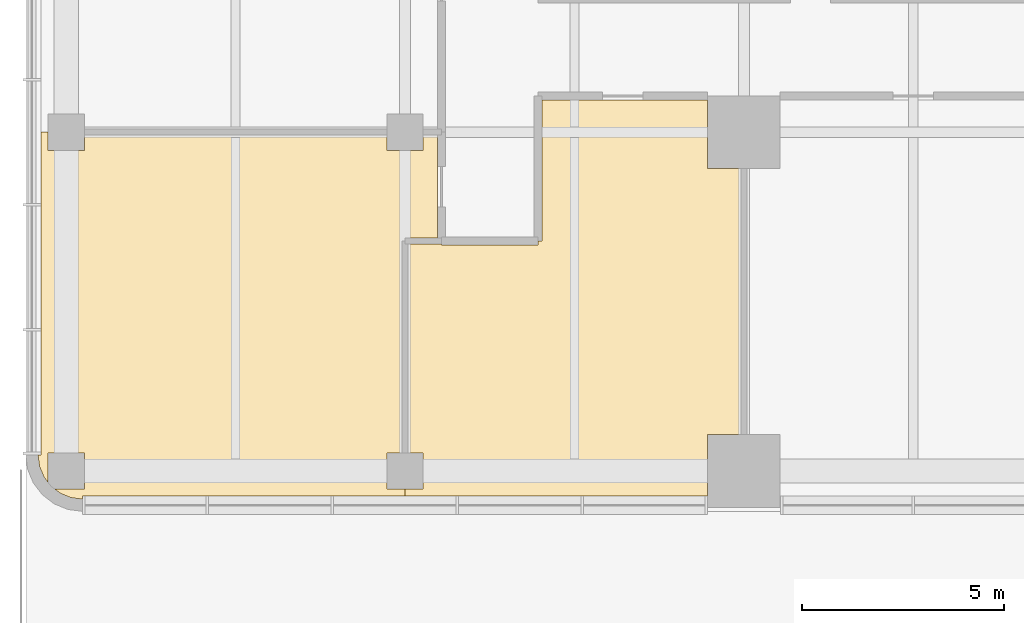
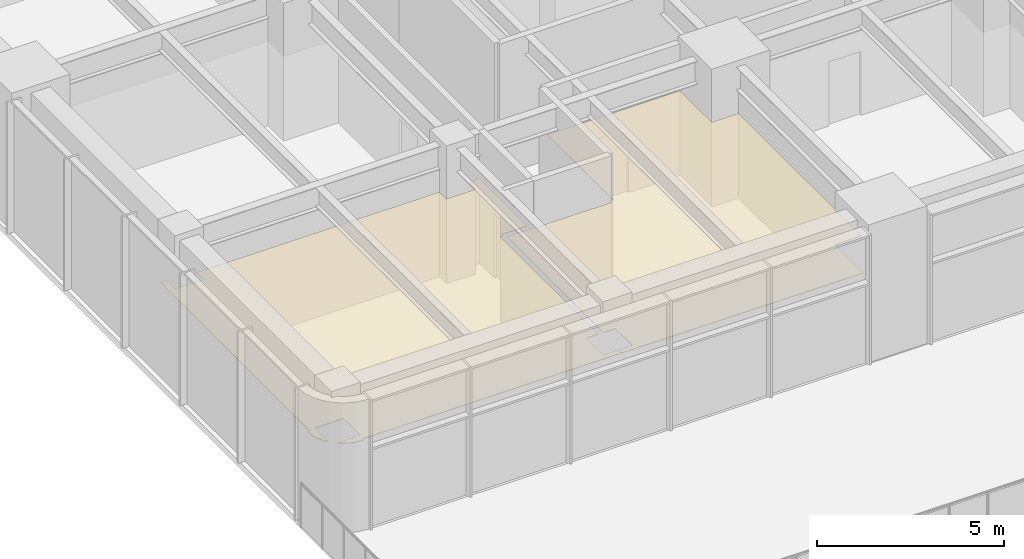
# One storey, part 15 of 19: 2 coverings.
"""IFC4 building model written with IfcOpenShell, lengths in metres."""

from ifc_helpers import new_model, si_unit, direction, frame, origin, place, context, subcontext, project, spatial, polyline, outline, extrude, material, layer, layer_set, type_object, element, save


model = new_model("IFC4")

# Units and contexts
model_context = context("Model", 3, precision=1e-05, world=origin(), true_north=direction((0.0, 1.0)))
body_context = subcontext(model_context, "Body", "Model", "MODEL_VIEW")
ifc_project = project(units=[si_unit("LENGTHUNIT", "METRE"), si_unit("AREAUNIT", "SQUARE_METRE"), si_unit("VOLUMEUNIT", "CUBIC_METRE"), si_unit("PLANEANGLEUNIT", "RADIAN"), si_unit("MASSUNIT", "GRAM", prefix="KILO")], contexts=[model_context])

# Site, building, storey
site_placement = place(None, origin())
site = spatial("IfcSite", under=ifc_project, at=site_placement, CompositionType="ELEMENT")
building_placement = place(site_placement, origin())
building = spatial("IfcBuilding", under=site, at=building_placement, Name="Torre Alcanfor", CompositionType="ELEMENT")
storey_placement = place(building_placement, frame((0.0, 0.0, 15.0)))
storey = spatial("IfcBuildingStorey", under=building, at=storey_placement, Name="L03", CompositionType="ELEMENT", Elevation=15.0)

# Coverings
ifc_material = material(Name="Mineral fibre acoustic tile 20 mm, NRC 0.70, on exposed suspension grid", Category="mineral fibre")
ifc_layer = layer(ifc_material, 0.02001953125)
ifc_layer_set = layer_set([ifc_layer], Name="Acoustic suspended ceiling 600x600 mineral fibre tile")
covering_type = type_object("IfcCoveringType", Name="Acoustic suspended ceiling 600x600 mineral fibre tile", PredefinedType="CEILING", material=ifc_layer_set)
covering_1_placement = place(storey_placement, frame((0.0, 0.0, 2.75)))
element("IfcCovering", 1, at=covering_1_placement, inside=storey, type_object=covering_type, Name="Ceiling L03-01", PredefinedType="CEILING", context=body_context, shape_type="SweptSolid", body=[
    extrude(outline(polyline([(8.85009765625, -0.449951171875), (8.39990234375, -0.449951171875), (8.39990234375, -0.625), (15.89990234375, -0.625), (15.89990234375, 0.89990234375), (16.72509765625, 0.89990234375), (16.72509765625, 7.5), (15.89990234375, 7.5), (15.89990234375, 9.199951171875), (11.800048828125, 9.199951171875), (11.800048828125, 5.699951171875), (11.699951171875, 5.699951171875), (11.699951171875, 5.60009765625), (9.300048828125, 5.60009765625), (9.300048828125, 5.625), (8.47509765625, 5.625), (8.47509765625, 0.449951171875), (8.85009765625, 0.449951171875), (8.85009765625, -0.449951171875)])), origin(), (0.0, 0.0, 1.0), 0.02001953125),
])
covering_2_placement = place(storey_placement, frame((0.0, 0.0, 2.75)))
element("IfcCovering", 2, at=covering_2_placement, inside=storey, type_object=covering_type, Name="Ceiling L03-03", PredefinedType="CEILING", context=body_context, shape_type="SweptSolid", body=[
    extrude(outline(polyline([(-0.659912109375, 0.115966796875), (-0.55029296875, -0.148681640625), (-0.449951171875, -0.279296875), (-0.449951171875, 0.449951171875), (0.449951171875, 0.449951171875), (0.449951171875, -0.449951171875), (-0.279296875, -0.449951171875), (-0.148681640625, -0.55029296875), (0.115966796875, -0.659912109375), (0.39990234375, -0.697509765625), (0.39990234375, -0.625), (8.39990234375, -0.625), (8.39990234375, -0.449951171875), (7.949951171875, -0.449951171875), (7.949951171875, 0.449951171875), (8.324951171875, 0.449951171875), (8.324951171875, 5.699951171875), (8.39990234375, 5.699951171875), (8.39990234375, 5.77490234375), (9.199951171875, 5.77490234375), (9.199951171875, 8.324951171875), (8.85009765625, 8.324951171875), (8.85009765625, 7.949951171875), (7.949951171875, 7.949951171875), (7.949951171875, 8.324951171875), (0.449951171875, 8.324951171875), (0.449951171875, 7.949951171875), (-0.449951171875, 7.949951171875), (-0.449951171875, 8.39990234375), (-0.625, 8.39990234375), (-0.625, 0.39990234375), (-0.697509765625, 0.39990234375), (-0.659912109375, 0.115966796875)])), origin(), (0.0, 0.0, 1.0), 0.02001953125),
])

save(model, "model.ifc")
